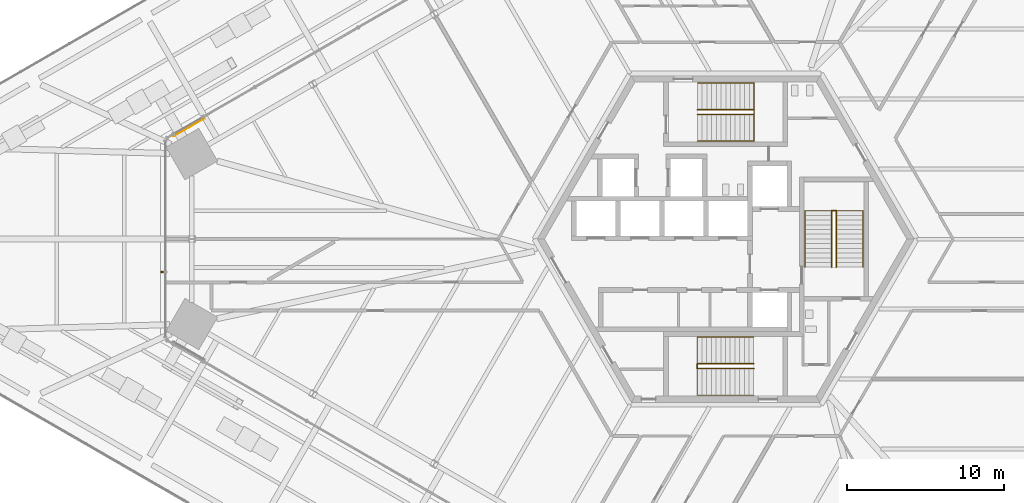
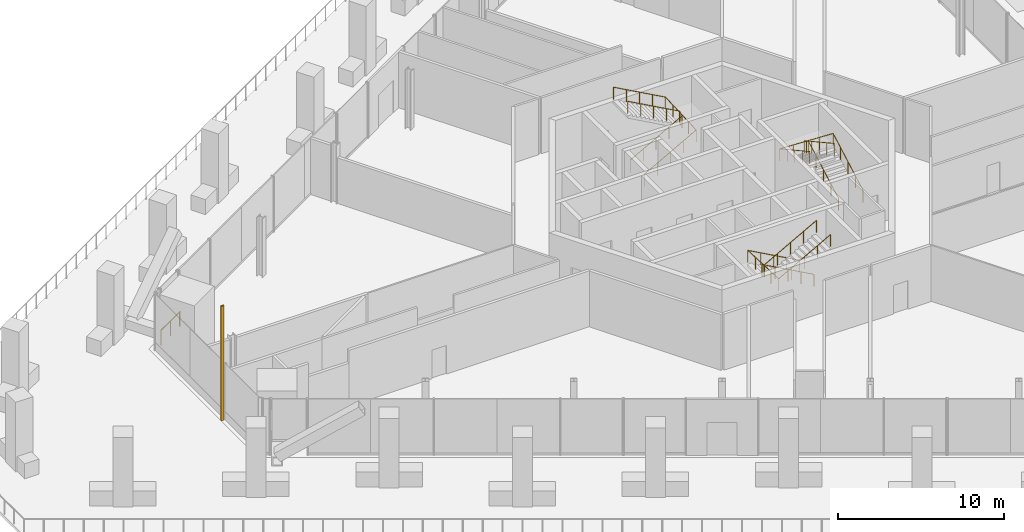
# One storey, part 32 of 38: 7 railings, 1 shading device.
"""IFC4 building model written with IfcOpenShell, lengths in metres."""

from ifc_helpers import new_model, si_unit, direction, frame, origin, origin_2d, place, context, subcontext, project, spatial, rectangle, circle, extrude, source, transform, mapped, material, type_object, element, save


model = new_model("IFC4")

# Units and contexts
model_context = context("Model", 3, precision=1e-05, world=origin(), true_north=direction((0.0, 1.0)))
body_context = subcontext(model_context, "Body", "Model", "MODEL_VIEW")
ifc_project = project(units=[si_unit("LENGTHUNIT", "METRE"), si_unit("AREAUNIT", "SQUARE_METRE"), si_unit("VOLUMEUNIT", "CUBIC_METRE"), si_unit("PLANEANGLEUNIT", "RADIAN"), si_unit("MASSUNIT", "GRAM", prefix="KILO")], contexts=[model_context])

# Site, building, storey
site_placement = place(None, origin())
site = spatial("IfcSite", under=ifc_project, at=site_placement, CompositionType="ELEMENT")
building_placement = place(site_placement, origin())
building = spatial("IfcBuilding", under=site, at=building_placement, Name="Triune Harvest Tower", CompositionType="ELEMENT")
storey_placement = place(building_placement, frame((0.0, 0.0, 16.0)))
storey = spatial("IfcBuildingStorey", under=building, at=storey_placement, Name="L03", CompositionType="ELEMENT", Elevation=16.0)

# Railings
ifc_material_1 = material(Name="Stainless steel AISI 316", Category="steel")
railing_type_1 = type_object("IfcRailingType", Name="Stair handrail", PredefinedType="HANDRAIL", material=ifc_material_1)
shared_shape_1 = source(origin(), body_context, "Body", "SweptSolid", [
    extrude(circle(Radius=0.02392578125, at=origin_2d()), frame((0.0, 0.0, 0.8759765625), z_axis=(0.875746539262, 0.0, 0.482771166259), x_axis=(0.0, 1.0, 0.0)), (0.0, 0.0, 1.0), 4.11083984375),
    extrude(circle(Radius=0.02392578125, at=origin_2d()), frame((3.60009765625, 0.0, 2.8603515625), z_axis=(0.0, 0.999000768331, 0.04469300699), x_axis=(-1.0, 0.0, 0.0)), (0.0, 0.0, 1.0), 3.70361328125),
    extrude(circle(Radius=0.02392578125, at=origin_2d()), frame((3.60009765625, 3.699951171875, 3.02587890625), z_axis=(-0.875746539262, 0.0, 0.482771166259), x_axis=(0.0, -1.0, 0.0)), (0.0, 0.0, 1.0), 4.11083984375),
    extrude(circle(Radius=0.02099609375, at=origin_2d()), origin(), (0.0, 0.0, 1.0), 0.851806640625),
    extrude(circle(Radius=0.02099609375, at=origin_2d()), frame((0.89990234375, 0.0, 0.49609375)), (0.0, 0.0, 1.0), 0.851806640625),
    extrude(circle(Radius=0.02099609375, at=origin_2d()), frame((1.800048828125, 0.0, 0.9921875)), (0.0, 0.0, 1.0), 0.851806640625),
    extrude(circle(Radius=0.02099609375, at=origin_2d()), frame((2.7001953125, 0.0, 1.488525390625)), (0.0, 0.0, 1.0), 0.851806640625),
    extrude(circle(Radius=0.02099609375, at=origin_2d()), frame((3.60009765625, 0.0, 1.984619140625)), (0.0, 0.0, 1.0), 0.851806640625),
    extrude(circle(Radius=0.02099609375, at=origin_2d()), frame((3.60009765625, 0.925048828125, 2.02587890625)), (0.0, 0.0, 1.0), 0.851806640625),
    extrude(circle(Radius=0.02099609375, at=origin_2d()), frame((3.60009765625, 1.85009765625, 2.0673828125)), (0.0, 0.0, 1.0), 0.851806640625),
    extrude(circle(Radius=0.02099609375, at=origin_2d()), frame((3.60009765625, 2.77490234375, 2.10888671875)), (0.0, 0.0, 1.0), 0.851806640625),
    extrude(circle(Radius=0.02099609375, at=origin_2d()), frame((3.60009765625, 3.699951171875, 2.150146484375)), (0.0, 0.0, 1.0), 0.851806640625),
    extrude(circle(Radius=0.02099609375, at=origin_2d()), frame((2.7001953125, 3.699951171875, 2.646240234375)), (0.0, 0.0, 1.0), 0.851806640625),
    extrude(circle(Radius=0.02099609375, at=origin_2d()), frame((1.800048828125, 3.699951171875, 3.142578125)), (0.0, 0.0, 1.0), 0.851806640625),
    extrude(circle(Radius=0.02099609375, at=origin_2d()), frame((0.89990234375, 3.699951171875, 3.638671875)), (0.0, 0.0, 1.0), 0.851806640625),
    extrude(circle(Radius=0.02099609375, at=origin_2d()), frame((0.0, 3.699951171875, 4.134765625)), (0.0, 0.0, 1.0), 0.851806640625),
])
railing_1_placement = place(storey_placement, frame((-1.7900390625, 6.239990234375, 0.165283203125)))
element("IfcRailing", 1, at=railing_1_placement, inside=storey, type_object=railing_type_1, Name="Exit stair north wall handrail", PredefinedType="HANDRAIL", context=body_context, shape_type="MappedRepresentation", body=[
    mapped(shared_shape_1, transform((0.0, 0.0, 0.0), scale=1.0)),
])
shared_shape_2 = source(origin(), body_context, "Body", "SweptSolid", [
    extrude(circle(Radius=0.02392578125, at=origin_2d()), frame((0.0, 0.0, 0.8759765625), z_axis=(0.875746539262, 0.0, 0.482771166259), x_axis=(0.0, 1.0, 0.0)), (0.0, 0.0, 1.0), 4.11083984375),
    extrude(circle(Radius=0.02392578125, at=origin_2d()), frame((3.60009765625, 0.0, 2.8603515625), z_axis=(0.0, 0.875598465653, 0.483039674298), x_axis=(-1.0, 0.0, 0.0)), (0.0, 0.0, 1.0), 0.3427734375),
    extrude(circle(Radius=0.02392578125, at=origin_2d()), frame((3.60009765625, 0.300048828125, 3.02587890625), z_axis=(-0.875746539262, 0.0, 0.482771166259), x_axis=(0.0, -1.0, 0.0)), (0.0, 0.0, 1.0), 4.11083984375),
    extrude(circle(Radius=0.02099609375, at=origin_2d()), origin(), (0.0, 0.0, 1.0), 0.851806640625),
    extrude(circle(Radius=0.02099609375, at=origin_2d()), frame((0.89990234375, 0.0, 0.49609375)), (0.0, 0.0, 1.0), 0.851806640625),
    extrude(circle(Radius=0.02099609375, at=origin_2d()), frame((1.800048828125, 0.0, 0.9921875)), (0.0, 0.0, 1.0), 0.851806640625),
    extrude(circle(Radius=0.02099609375, at=origin_2d()), frame((2.7001953125, 0.0, 1.488525390625)), (0.0, 0.0, 1.0), 0.851806640625),
    extrude(circle(Radius=0.02099609375, at=origin_2d()), frame((3.60009765625, 0.0, 1.984619140625)), (0.0, 0.0, 1.0), 0.851806640625),
    extrude(circle(Radius=0.02099609375, at=origin_2d()), frame((3.60009765625, 0.300048828125, 2.150146484375)), (0.0, 0.0, 1.0), 0.851806640625),
    extrude(circle(Radius=0.02099609375, at=origin_2d()), frame((2.7001953125, 0.300048828125, 2.646240234375)), (0.0, 0.0, 1.0), 0.851806640625),
    extrude(circle(Radius=0.02099609375, at=origin_2d()), frame((1.800048828125, 0.300048828125, 3.142578125)), (0.0, 0.0, 1.0), 0.851806640625),
    extrude(circle(Radius=0.02099609375, at=origin_2d()), frame((0.89990234375, 0.300048828125, 3.638671875)), (0.0, 0.0, 1.0), 0.851806640625),
    extrude(circle(Radius=0.02099609375, at=origin_2d()), frame((0.0, 0.300048828125, 4.134765625)), (0.0, 0.0, 1.0), 0.851806640625),
])
railing_2_placement = place(storey_placement, frame((-1.7900390625, 7.93994140625, 0.165283203125)))
element("IfcRailing", 2, at=railing_2_placement, inside=storey, type_object=railing_type_1, Name="Exit stair north centre handrail", PredefinedType="HANDRAIL", context=body_context, shape_type="MappedRepresentation", body=[
    mapped(shared_shape_2, transform((0.0, 0.0, 0.0), scale=1.0)),
])
shared_shape_3 = source(origin(), body_context, "Body", "SweptSolid", [
    extrude(circle(Radius=0.02392578125, at=origin_2d()), frame((0.0, 0.0, 0.8759765625), z_axis=(-0.875746539262, 0.0, 0.482771166259), x_axis=(0.0, -1.0, 0.0)), (0.0, 0.0, 1.0), 4.11083984375),
    extrude(circle(Radius=0.02392578125, at=origin_2d()), frame((-3.60009765625, 0.0, 2.8603515625), z_axis=(0.0, -0.999000768331, 0.04469300699), x_axis=(1.0, 0.0, 0.0)), (0.0, 0.0, 1.0), 3.70361328125),
    extrude(circle(Radius=0.02392578125, at=origin_2d()), frame((-3.60009765625, -3.699951171875, 3.02587890625), z_axis=(0.875746539262, 0.0, 0.482771166259), x_axis=(0.0, 1.0, 0.0)), (0.0, 0.0, 1.0), 4.11083984375),
    extrude(circle(Radius=0.02099609375, at=origin_2d()), origin(), (0.0, 0.0, 1.0), 0.851806640625),
    extrude(circle(Radius=0.02099609375, at=origin_2d()), frame((-0.89990234375, 0.0, 0.49609375)), (0.0, 0.0, 1.0), 0.851806640625),
    extrude(circle(Radius=0.02099609375, at=origin_2d()), frame((-1.800048828125, 0.0, 0.9921875)), (0.0, 0.0, 1.0), 0.851806640625),
    extrude(circle(Radius=0.02099609375, at=origin_2d()), frame((-2.7001953125, 0.0, 1.488525390625)), (0.0, 0.0, 1.0), 0.851806640625),
    extrude(circle(Radius=0.02099609375, at=origin_2d()), frame((-3.60009765625, 0.0, 1.984619140625)), (0.0, 0.0, 1.0), 0.851806640625),
    extrude(circle(Radius=0.02099609375, at=origin_2d()), frame((-3.60009765625, -0.925048828125, 2.02587890625)), (0.0, 0.0, 1.0), 0.851806640625),
    extrude(circle(Radius=0.02099609375, at=origin_2d()), frame((-3.60009765625, -1.85009765625, 2.0673828125)), (0.0, 0.0, 1.0), 0.851806640625),
    extrude(circle(Radius=0.02099609375, at=origin_2d()), frame((-3.60009765625, -2.77490234375, 2.10888671875)), (0.0, 0.0, 1.0), 0.851806640625),
    extrude(circle(Radius=0.02099609375, at=origin_2d()), frame((-3.60009765625, -3.699951171875, 2.150146484375)), (0.0, 0.0, 1.0), 0.851806640625),
    extrude(circle(Radius=0.02099609375, at=origin_2d()), frame((-2.7001953125, -3.699951171875, 2.646240234375)), (0.0, 0.0, 1.0), 0.851806640625),
    extrude(circle(Radius=0.02099609375, at=origin_2d()), frame((-1.800048828125, -3.699951171875, 3.142578125)), (0.0, 0.0, 1.0), 0.851806640625),
    extrude(circle(Radius=0.02099609375, at=origin_2d()), frame((-0.89990234375, -3.699951171875, 3.638671875)), (0.0, 0.0, 1.0), 0.851806640625),
    extrude(circle(Radius=0.02099609375, at=origin_2d()), frame((0.0, -3.699951171875, 4.134765625)), (0.0, 0.0, 1.0), 0.851806640625),
])
railing_3_placement = place(storey_placement, frame((1.7900390625, -6.239990234375, 0.165283203125)))
element("IfcRailing", 3, at=railing_3_placement, inside=storey, type_object=railing_type_1, Name="Exit stair south wall handrail", PredefinedType="HANDRAIL", context=body_context, shape_type="MappedRepresentation", body=[
    mapped(shared_shape_3, transform((0.0, 0.0, 0.0), scale=1.0)),
])
shared_shape_4 = source(origin(), body_context, "Body", "SweptSolid", [
    extrude(circle(Radius=0.02392578125, at=origin_2d()), frame((0.0, 0.0, 0.8759765625), z_axis=(-0.875746539262, 0.0, 0.482771166259), x_axis=(0.0, -1.0, 0.0)), (0.0, 0.0, 1.0), 4.11083984375),
    extrude(circle(Radius=0.02392578125, at=origin_2d()), frame((-3.60009765625, 0.0, 2.8603515625), z_axis=(0.0, -0.875598465653, 0.483039674298), x_axis=(1.0, 0.0, 0.0)), (0.0, 0.0, 1.0), 0.3427734375),
    extrude(circle(Radius=0.02392578125, at=origin_2d()), frame((-3.60009765625, -0.300048828125, 3.02587890625), z_axis=(0.875746539262, 0.0, 0.482771166259), x_axis=(0.0, 1.0, 0.0)), (0.0, 0.0, 1.0), 4.11083984375),
    extrude(circle(Radius=0.02099609375, at=origin_2d()), origin(), (0.0, 0.0, 1.0), 0.851806640625),
    extrude(circle(Radius=0.02099609375, at=origin_2d()), frame((-0.89990234375, 0.0, 0.49609375)), (0.0, 0.0, 1.0), 0.851806640625),
    extrude(circle(Radius=0.02099609375, at=origin_2d()), frame((-1.800048828125, 0.0, 0.9921875)), (0.0, 0.0, 1.0), 0.851806640625),
    extrude(circle(Radius=0.02099609375, at=origin_2d()), frame((-2.7001953125, 0.0, 1.488525390625)), (0.0, 0.0, 1.0), 0.851806640625),
    extrude(circle(Radius=0.02099609375, at=origin_2d()), frame((-3.60009765625, 0.0, 1.984619140625)), (0.0, 0.0, 1.0), 0.851806640625),
    extrude(circle(Radius=0.02099609375, at=origin_2d()), frame((-3.60009765625, -0.300048828125, 2.150146484375)), (0.0, 0.0, 1.0), 0.851806640625),
    extrude(circle(Radius=0.02099609375, at=origin_2d()), frame((-2.7001953125, -0.300048828125, 2.646240234375)), (0.0, 0.0, 1.0), 0.851806640625),
    extrude(circle(Radius=0.02099609375, at=origin_2d()), frame((-1.800048828125, -0.300048828125, 3.142578125)), (0.0, 0.0, 1.0), 0.851806640625),
    extrude(circle(Radius=0.02099609375, at=origin_2d()), frame((-0.89990234375, -0.300048828125, 3.638671875)), (0.0, 0.0, 1.0), 0.851806640625),
    extrude(circle(Radius=0.02099609375, at=origin_2d()), frame((0.0, -0.300048828125, 4.134765625)), (0.0, 0.0, 1.0), 0.851806640625),
])
railing_4_placement = place(storey_placement, frame((1.7900390625, -7.93994140625, 0.165283203125)))
element("IfcRailing", 4, at=railing_4_placement, inside=storey, type_object=railing_type_1, Name="Exit stair south centre handrail", PredefinedType="HANDRAIL", context=body_context, shape_type="MappedRepresentation", body=[
    mapped(shared_shape_4, transform((0.0, 0.0, 0.0), scale=1.0)),
])
shared_shape_5 = source(origin(), body_context, "Body", "SweptSolid", [
    extrude(circle(Radius=0.02392578125, at=origin_2d()), frame((0.0, 0.0, 0.8759765625), z_axis=(0.0, 0.875746539262, 0.482771166259), x_axis=(-1.0, 0.0, 0.0)), (0.0, 0.0, 1.0), 4.11083984375),
    extrude(circle(Radius=0.02392578125, at=origin_2d()), frame((0.0, 3.60009765625, 2.8603515625), z_axis=(-0.999000768331, 0.0, 0.04469300699), x_axis=(0.0, -1.0, 0.0)), (0.0, 0.0, 1.0), 3.70361328125),
    extrude(circle(Radius=0.02392578125, at=origin_2d()), frame((-3.699951171875, 3.60009765625, 3.02587890625), z_axis=(0.0, -0.875746539262, 0.482771166259), x_axis=(1.0, 0.0, 0.0)), (0.0, 0.0, 1.0), 4.11083984375),
    extrude(circle(Radius=0.02099609375, at=origin_2d()), origin(), (0.0, 0.0, 1.0), 0.851806640625),
    extrude(circle(Radius=0.02099609375, at=origin_2d()), frame((0.0, 0.89990234375, 0.49609375)), (0.0, 0.0, 1.0), 0.851806640625),
    extrude(circle(Radius=0.02099609375, at=origin_2d()), frame((0.0, 1.800048828125, 0.9921875)), (0.0, 0.0, 1.0), 0.851806640625),
    extrude(circle(Radius=0.02099609375, at=origin_2d()), frame((0.0, 2.7001953125, 1.488525390625)), (0.0, 0.0, 1.0), 0.851806640625),
    extrude(circle(Radius=0.02099609375, at=origin_2d()), frame((0.0, 3.60009765625, 1.984619140625)), (0.0, 0.0, 1.0), 0.851806640625),
    extrude(circle(Radius=0.02099609375, at=origin_2d()), frame((-0.925048828125, 3.60009765625, 2.02587890625)), (0.0, 0.0, 1.0), 0.851806640625),
    extrude(circle(Radius=0.02099609375, at=origin_2d()), frame((-1.85009765625, 3.60009765625, 2.0673828125)), (0.0, 0.0, 1.0), 0.851806640625),
    extrude(circle(Radius=0.02099609375, at=origin_2d()), frame((-2.77490234375, 3.60009765625, 2.10888671875)), (0.0, 0.0, 1.0), 0.851806640625),
    extrude(circle(Radius=0.02099609375, at=origin_2d()), frame((-3.699951171875, 3.60009765625, 2.150146484375)), (0.0, 0.0, 1.0), 0.851806640625),
    extrude(circle(Radius=0.02099609375, at=origin_2d()), frame((-3.699951171875, 2.7001953125, 2.646240234375)), (0.0, 0.0, 1.0), 0.851806640625),
    extrude(circle(Radius=0.02099609375, at=origin_2d()), frame((-3.699951171875, 1.800048828125, 3.142578125)), (0.0, 0.0, 1.0), 0.851806640625),
    extrude(circle(Radius=0.02099609375, at=origin_2d()), frame((-3.699951171875, 0.89990234375, 3.638671875)), (0.0, 0.0, 1.0), 0.851806640625),
    extrude(circle(Radius=0.02099609375, at=origin_2d()), frame((-3.699951171875, 0.0, 4.134765625)), (0.0, 0.0, 1.0), 0.851806640625),
])
railing_5_placement = place(storey_placement, frame((8.75, -1.7900390625, 0.165283203125)))
element("IfcRailing", 5, at=railing_5_placement, inside=storey, type_object=railing_type_1, Name="Exit stair east wall handrail", PredefinedType="HANDRAIL", context=body_context, shape_type="MappedRepresentation", body=[
    mapped(shared_shape_5, transform((0.0, 0.0, 0.0), scale=1.0)),
])
shared_shape_6 = source(origin(), body_context, "Body", "SweptSolid", [
    extrude(circle(Radius=0.02392578125, at=origin_2d()), frame((0.0, 0.0, 0.8759765625), z_axis=(0.0, 0.875746539262, 0.482771166259), x_axis=(-1.0, 0.0, 0.0)), (0.0, 0.0, 1.0), 4.11083984375),
    extrude(circle(Radius=0.02392578125, at=origin_2d()), frame((0.0, 3.60009765625, 2.8603515625), z_axis=(-0.875598465653, 0.0, 0.483039674298), x_axis=(0.0, -1.0, 0.0)), (0.0, 0.0, 1.0), 0.3427734375),
    extrude(circle(Radius=0.02392578125, at=origin_2d()), frame((-0.300048828125, 3.60009765625, 3.02587890625), z_axis=(0.0, -0.875746539262, 0.482771166259), x_axis=(1.0, 0.0, 0.0)), (0.0, 0.0, 1.0), 4.11083984375),
    extrude(circle(Radius=0.02099609375, at=origin_2d()), origin(), (0.0, 0.0, 1.0), 0.851806640625),
    extrude(circle(Radius=0.02099609375, at=origin_2d()), frame((0.0, 0.89990234375, 0.49609375)), (0.0, 0.0, 1.0), 0.851806640625),
    extrude(circle(Radius=0.02099609375, at=origin_2d()), frame((0.0, 1.800048828125, 0.9921875)), (0.0, 0.0, 1.0), 0.851806640625),
    extrude(circle(Radius=0.02099609375, at=origin_2d()), frame((0.0, 2.7001953125, 1.488525390625)), (0.0, 0.0, 1.0), 0.851806640625),
    extrude(circle(Radius=0.02099609375, at=origin_2d()), frame((0.0, 3.60009765625, 1.984619140625)), (0.0, 0.0, 1.0), 0.851806640625),
    extrude(circle(Radius=0.02099609375, at=origin_2d()), frame((-0.300048828125, 3.60009765625, 2.150146484375)), (0.0, 0.0, 1.0), 0.851806640625),
    extrude(circle(Radius=0.02099609375, at=origin_2d()), frame((-0.300048828125, 2.7001953125, 2.646240234375)), (0.0, 0.0, 1.0), 0.851806640625),
    extrude(circle(Radius=0.02099609375, at=origin_2d()), frame((-0.300048828125, 1.800048828125, 3.142578125)), (0.0, 0.0, 1.0), 0.851806640625),
    extrude(circle(Radius=0.02099609375, at=origin_2d()), frame((-0.300048828125, 0.89990234375, 3.638671875)), (0.0, 0.0, 1.0), 0.851806640625),
    extrude(circle(Radius=0.02099609375, at=origin_2d()), frame((-0.300048828125, 0.0, 4.134765625)), (0.0, 0.0, 1.0), 0.851806640625),
])
railing_6_placement = place(storey_placement, frame((7.050048828125, -1.7900390625, 0.165283203125)))
element("IfcRailing", 6, at=railing_6_placement, inside=storey, type_object=railing_type_1, Name="Exit stair east centre handrail", PredefinedType="HANDRAIL", context=body_context, shape_type="MappedRepresentation", body=[
    mapped(shared_shape_6, transform((0.0, 0.0, 0.0), scale=1.0)),
])

# Shading device
ifc_material_2 = material(Name="Aluminium bronze anodised", Category="aluminium")
shared_shape_7 = source(origin(), body_context, "Body", "SweptSolid", [
    extrude(rectangle(XDim=0.10009765625, YDim=0.199951171875, at=origin_2d()), origin(), (0.0, 0.0, 1.0), 8.39990234375),
])
shading_device_placement = place(storey_placement, frame((-35.880615234375, -2.098876953125, 0.0), z_axis=(0.0, 0.0, 1.0), x_axis=(0.0, -1.0, 0.0)))
element("IfcShadingDevice", 7, at=shading_device_placement, inside=storey, material=ifc_material_2, Name="FN-1 fin B1-F4.3 L03", ObjectType="FIN", PredefinedType="USERDEFINED", context=body_context, shape_type="MappedRepresentation", body=[
    mapped(shared_shape_7, transform((0.0, 0.0, 0.0), scale=1.0)),
])

# Railing
ifc_material_3 = material(Name="Glass", Category="glass")
railing_type_2 = type_object("IfcRailingType", Name="GD-3 facade guard 1100", PredefinedType="GUARDRAIL", material=ifc_material_3)
shared_shape_8 = source(origin(), body_context, "Body", "SweptSolid", [
    extrude(circle(Radius=0.02392578125, at=origin_2d()), frame((0.0, 0.0, 1.076171875), z_axis=(-0.866056598889, -0.499945964601, 0.0), x_axis=(0.499945964601, -0.866056598889, 0.0)), (0.0, 0.0, 1.0), 2.269287109375),
    extrude(circle(Radius=0.02099609375, at=origin_2d()), origin(), (0.0, 0.0, 1.0), 1.052001953125),
    extrude(circle(Radius=0.02099609375, at=origin_2d()), frame((-0.982666015625, -0.5673828125, 0.0)), (0.0, 0.0, 1.0), 1.052001953125),
    extrude(circle(Radius=0.02099609375, at=origin_2d()), frame((-1.96533203125, -1.134521484375, 0.0)), (0.0, 0.0, 1.0), 1.052001953125),
])
railing_7_placement = place(storey_placement, frame((-33.173095703125, 7.691162109375, 0.0)))
element("IfcRailing", 8, at=railing_7_placement, inside=storey, type_object=railing_type_2, Name="Facade guard B1-F3 L03.2.1", PredefinedType="GUARDRAIL", context=body_context, shape_type="MappedRepresentation", body=[
    mapped(shared_shape_8, transform((0.0, 0.0, 0.0), scale=1.0)),
])

save(model, "model.ifc")
